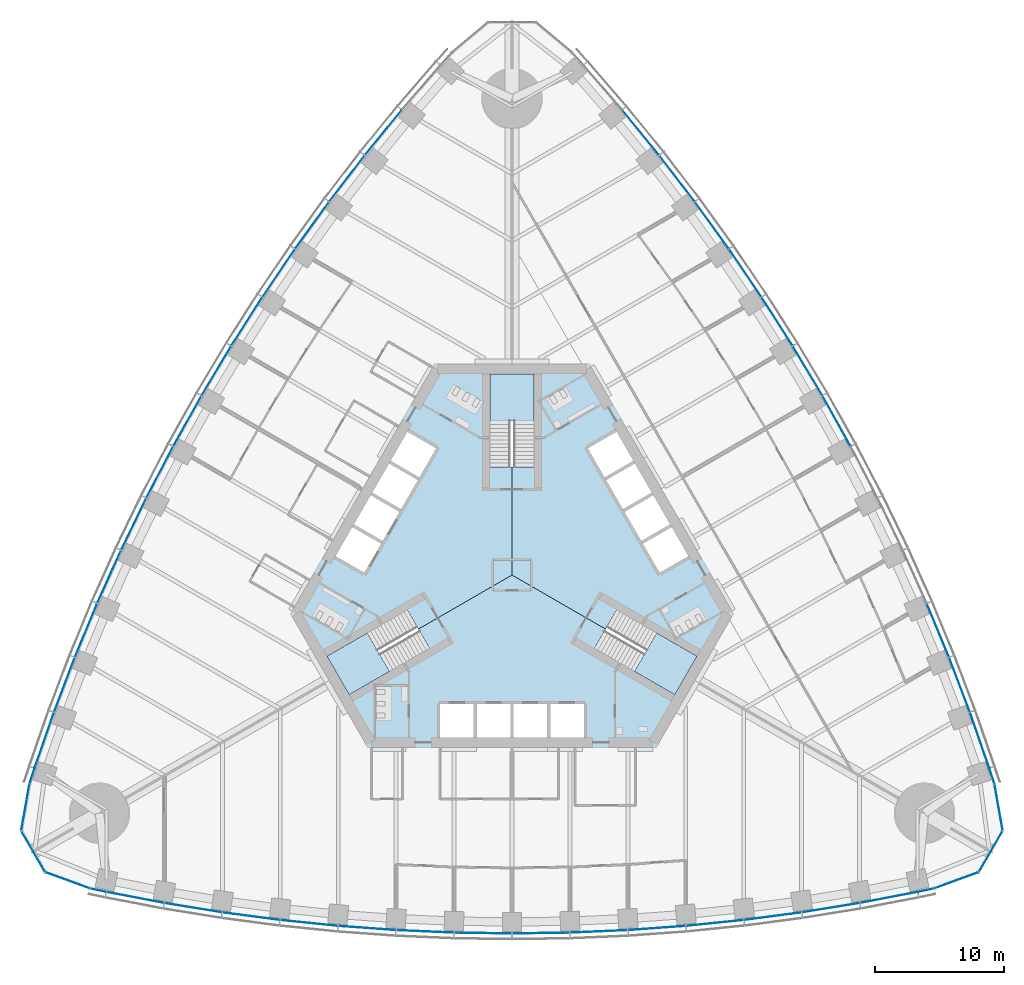
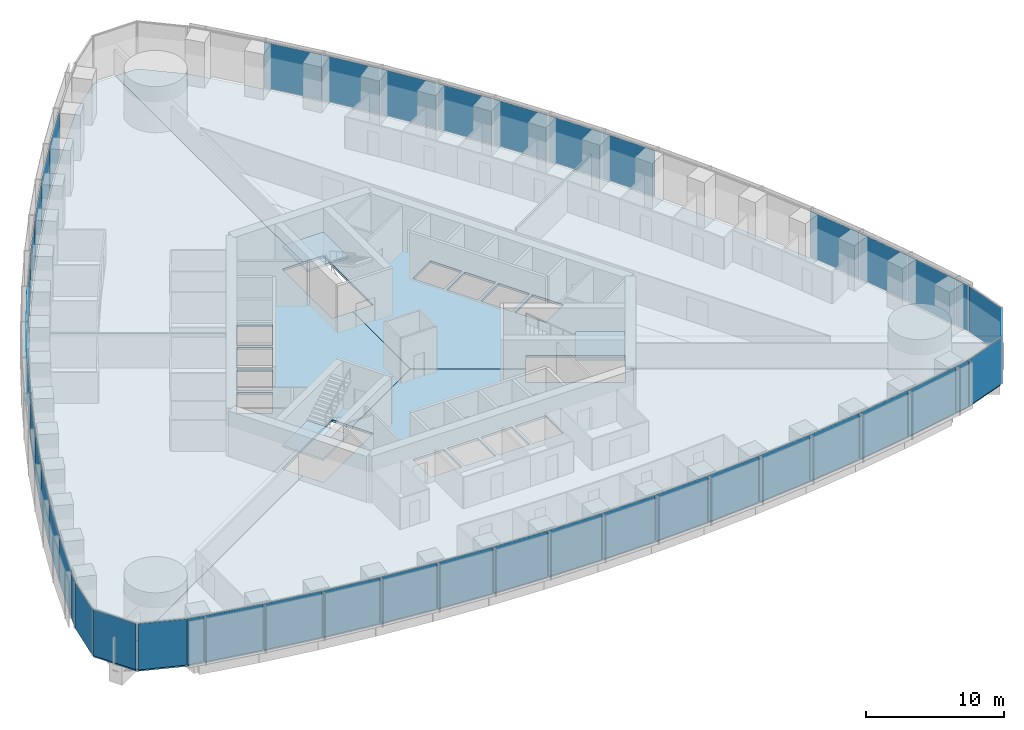
# One storey, part 8 of 18: 47 plates, 6 slabs, 8 elements without a shape of their own.
"""IFC4 building model written with IfcOpenShell, lengths in metres."""

from ifc_helpers import new_model, si_unit, direction, frame, origin, origin_2d, place, context, subcontext, project, spatial, polyline, rectangle, outline, extrude, material, layer, layer_set, type_object, element, aggregate, save


model = new_model("IFC4")

# Units and contexts
model_context = context("Model", 3, precision=1e-05, world=origin(), true_north=direction((0.0, 1.0)))
body_context = subcontext(model_context, "Body", "Model", "MODEL_VIEW")
ifc_project = project(units=[si_unit("LENGTHUNIT", "METRE"), si_unit("AREAUNIT", "SQUARE_METRE"), si_unit("VOLUMEUNIT", "CUBIC_METRE"), si_unit("PLANEANGLEUNIT", "RADIAN"), si_unit("MASSUNIT", "GRAM", prefix="KILO")], contexts=[model_context])

# Site, building, storey
site_placement = place(None, origin())
site = spatial("IfcSite", under=ifc_project, at=site_placement, CompositionType="ELEMENT")
building_placement = place(site_placement, origin())
building = spatial("IfcBuilding", under=site, at=building_placement, Name="Trefoil Bronze Tower", CompositionType="ELEMENT")
storey_placement = place(building_placement, frame((0.0, 0.0, 41.699951171875)))
storey = spatial("IfcBuildingStorey", under=building, at=storey_placement, Name="L09", CompositionType="ELEMENT", Elevation=41.699951171875)

# Curtain wall, plates
ifc_material_1 = material(Name="Tinted solar-control glass", Category="glass")
curtain_wall_type_1 = type_object("IfcCurtainWallType", Name="Bronze office curtain wall", PredefinedType="USERDEFINED", material=ifc_material_1)
curtain_wall_1_placement = place(storey_placement, origin())
curtain_wall_1 = element("IfcCurtainWall", 1, at=curtain_wall_1_placement, inside=storey, type_object=curtain_wall_type_1, Name="CW-A L09 F1", ObjectType="CURTAIN WALL", PredefinedType="USERDEFINED")
ifc_material_2 = material(Name="Tinted solar-control glass", Category="glass")
ifc_layer_1 = layer(ifc_material_2, 0.030029296875)
ifc_layer_set_1 = layer_set([ifc_layer_1], Name="Bronze office curtain wall glass panel")
plate_type_1 = type_object("IfcPlateType", Name="Bronze office curtain wall glass panel", PredefinedType="CURTAIN_PANEL", material=ifc_layer_set_1)
plate_1_placement = place(storey_placement, frame((-32.15185546875, -24.480224609375, 0.0), z_axis=(0.0, 0.0, 1.0), x_axis=(0.978302717041, -0.207180582657, 0.0)))
plate_1 = element("IfcPlate", 2, at=plate_1_placement, type_object=plate_type_1, Name="CW-A L09 F1 panel 1", PredefinedType="CURTAIN_PANEL", context=body_context, shape_type="SweptSolid", body=[
    extrude(rectangle(XDim=1.21044921875, YDim=0.030029296875, at=origin_2d()), origin(), (0.0, 0.0, 1.0), 4.080078125),
])
plate_2_placement = place(storey_placement, frame((-29.268798828125, -25.04638671875, 0.0), z_axis=(0.0, 0.0, 1.0), x_axis=(0.982049823817, -0.188621694249, 0.0)))
plate_2 = element("IfcPlate", 3, at=plate_2_placement, type_object=plate_type_1, Name="CW-A L09 F1 panel 2", PredefinedType="CURTAIN_PANEL", context=body_context, shape_type="SweptSolid", body=[
    extrude(rectangle(XDim=4.502197265625, YDim=0.030029296875, at=origin_2d()), origin(), (0.0, 0.0, 1.0), 4.080078125),
])
plate_3_placement = place(storey_placement, frame((-24.765869140625, -25.8427734375, 0.0), z_axis=(0.0, 0.0, 1.0), x_axis=(0.987181315145, -0.159602791421, 0.0)))
plate_3 = element("IfcPlate", 4, at=plate_3_placement, type_object=plate_type_1, Name="CW-A L09 F1 panel 3", PredefinedType="CURTAIN_PANEL", context=body_context, shape_type="SweptSolid", body=[
    extrude(rectangle(XDim=4.478515625, YDim=0.030029296875, at=origin_2d()), origin(), (0.0, 0.0, 1.0), 4.080078125),
])
plate_4_placement = place(storey_placement, frame((-20.262939453125, -26.50341796875, 0.0), z_axis=(0.0, 0.0, 1.0), x_axis=(0.991437251591, -0.130583981243, 0.0)))
plate_4 = element("IfcPlate", 5, at=plate_4_placement, type_object=plate_type_1, Name="CW-A L09 F1 panel 4", PredefinedType="CURTAIN_PANEL", context=body_context, shape_type="SweptSolid", body=[
    extrude(rectangle(XDim=4.458984375, YDim=0.030029296875, at=origin_2d()), origin(), (0.0, 0.0, 1.0), 4.080078125),
])
plate_5_placement = place(storey_placement, frame((-15.76025390625, -27.02978515625, 0.0), z_axis=(0.0, 0.0, 1.0), x_axis=(0.994828880293, -0.101565244717, 0.0)))
plate_5 = element("IfcPlate", 6, at=plate_5_placement, type_object=plate_type_1, Name="CW-A L09 F1 panel 5", PredefinedType="CURTAIN_PANEL", context=body_context, shape_type="SweptSolid", body=[
    extrude(rectangle(XDim=4.443359375, YDim=0.030029296875, at=origin_2d()), origin(), (0.0, 0.0, 1.0), 4.080078125),
])
plate_6_placement = place(storey_placement, frame((-11.25732421875, -27.42333984375, 0.0), z_axis=(0.0, 0.0, 1.0), x_axis=(0.99736502647, -0.072546564177, 0.0)))
plate_6 = element("IfcPlate", 7, at=plate_6_placement, type_object=plate_type_1, Name="CW-A L09 F1 panel 6", PredefinedType="CURTAIN_PANEL", context=body_context, shape_type="SweptSolid", body=[
    extrude(rectangle(XDim=4.431884765625, YDim=0.030029296875, at=origin_2d()), origin(), (0.0, 0.0, 1.0), 4.080078125),
])
plate_7_placement = place(storey_placement, frame((-6.75439453125, -27.685302734375, 0.0), z_axis=(0.0, 0.0, 1.0), x_axis=(0.999052210809, -0.043527922969, 0.0)))
plate_7 = element("IfcPlate", 8, at=plate_7_placement, type_object=plate_type_1, Name="CW-A L09 F1 panel 7", PredefinedType="CURTAIN_PANEL", context=body_context, shape_type="SweptSolid", body=[
    extrude(rectangle(XDim=4.42431640625, YDim=0.030029296875, at=origin_2d()), origin(), (0.0, 0.0, 1.0), 4.080078125),
])
plate_8_placement = place(storey_placement, frame((-2.25146484375, -27.816162109375, 0.0), z_axis=(0.0, 0.0, 1.0), x_axis=(0.999894734493, -0.014509305083, 0.0)))
plate_8 = element("IfcPlate", 9, at=plate_8_placement, type_object=plate_type_1, Name="CW-A L09 F1 panel 8", PredefinedType="CURTAIN_PANEL", context=body_context, shape_type="SweptSolid", body=[
    extrude(rectangle(XDim=4.42041015625, YDim=0.030029296875, at=origin_2d()), origin(), (0.0, 0.0, 1.0), 4.080078125),
])
plate_9_placement = place(storey_placement, frame((2.25146484375, -27.816162109375, 0.0), z_axis=(0.0, 0.0, 1.0), x_axis=(0.999894734493, 0.014509305083, 0.0)))
plate_9 = element("IfcPlate", 10, at=plate_9_placement, type_object=plate_type_1, Name="CW-A L09 F1 panel 9", PredefinedType="CURTAIN_PANEL", context=body_context, shape_type="SweptSolid", body=[
    extrude(rectangle(XDim=4.42041015625, YDim=0.030029296875, at=origin_2d()), origin(), (0.0, 0.0, 1.0), 4.080078125),
])
plate_10_placement = place(storey_placement, frame((6.75439453125, -27.685302734375, 0.0), z_axis=(0.0, 0.0, 1.0), x_axis=(0.999052210809, 0.043527922969, 0.0)))
plate_10 = element("IfcPlate", 11, at=plate_10_placement, type_object=plate_type_1, Name="CW-A L09 F1 panel 10", PredefinedType="CURTAIN_PANEL", context=body_context, shape_type="SweptSolid", body=[
    extrude(rectangle(XDim=4.42431640625, YDim=0.030029296875, at=origin_2d()), origin(), (0.0, 0.0, 1.0), 4.080078125),
])
plate_11_placement = place(storey_placement, frame((11.25732421875, -27.42333984375, 0.0), z_axis=(0.0, 0.0, 1.0), x_axis=(0.99736502647, 0.072546564177, 0.0)))
plate_11 = element("IfcPlate", 12, at=plate_11_placement, type_object=plate_type_1, Name="CW-A L09 F1 panel 11", PredefinedType="CURTAIN_PANEL", context=body_context, shape_type="SweptSolid", body=[
    extrude(rectangle(XDim=4.431884765625, YDim=0.030029296875, at=origin_2d()), origin(), (0.0, 0.0, 1.0), 4.080078125),
])
plate_12_placement = place(storey_placement, frame((15.76025390625, -27.02978515625, 0.0), z_axis=(0.0, 0.0, 1.0), x_axis=(0.994828880293, 0.101565244717, 0.0)))
plate_12 = element("IfcPlate", 13, at=plate_12_placement, type_object=plate_type_1, Name="CW-A L09 F1 panel 12", PredefinedType="CURTAIN_PANEL", context=body_context, shape_type="SweptSolid", body=[
    extrude(rectangle(XDim=4.443359375, YDim=0.030029296875, at=origin_2d()), origin(), (0.0, 0.0, 1.0), 4.080078125),
])
plate_13_placement = place(storey_placement, frame((20.262939453125, -26.50341796875, 0.0), z_axis=(0.0, 0.0, 1.0), x_axis=(0.991437251591, 0.130583981243, 0.0)))
plate_13 = element("IfcPlate", 14, at=plate_13_placement, type_object=plate_type_1, Name="CW-A L09 F1 panel 13", PredefinedType="CURTAIN_PANEL", context=body_context, shape_type="SweptSolid", body=[
    extrude(rectangle(XDim=4.458984375, YDim=0.030029296875, at=origin_2d()), origin(), (0.0, 0.0, 1.0), 4.080078125),
])
plate_14_placement = place(storey_placement, frame((24.765869140625, -25.8427734375, 0.0), z_axis=(0.0, 0.0, 1.0), x_axis=(0.987181315145, 0.159602791421, 0.0)))
plate_14 = element("IfcPlate", 15, at=plate_14_placement, type_object=plate_type_1, Name="CW-A L09 F1 panel 14", PredefinedType="CURTAIN_PANEL", context=body_context, shape_type="SweptSolid", body=[
    extrude(rectangle(XDim=4.478515625, YDim=0.030029296875, at=origin_2d()), origin(), (0.0, 0.0, 1.0), 4.080078125),
])
plate_15_placement = place(storey_placement, frame((29.268798828125, -25.04638671875, 0.0), z_axis=(0.0, 0.0, 1.0), x_axis=(0.982049823817, 0.188621694249, 0.0)))
plate_15 = element("IfcPlate", 16, at=plate_15_placement, type_object=plate_type_1, Name="CW-A L09 F1 panel 15", PredefinedType="CURTAIN_PANEL", context=body_context, shape_type="SweptSolid", body=[
    extrude(rectangle(XDim=4.502197265625, YDim=0.030029296875, at=origin_2d()), origin(), (0.0, 0.0, 1.0), 4.080078125),
])
plate_16_placement = place(storey_placement, frame((32.15185546875, -24.480224609375, 0.0), z_axis=(0.0, 0.0, 1.0), x_axis=(0.978302717041, 0.207180582657, 0.0)))
plate_16 = element("IfcPlate", 17, at=plate_16_placement, type_object=plate_type_1, Name="CW-A L09 F1 panel 16", PredefinedType="CURTAIN_PANEL", context=body_context, shape_type="SweptSolid", body=[
    extrude(rectangle(XDim=1.21044921875, YDim=0.030029296875, at=origin_2d()), origin(), (0.0, 0.0, 1.0), 4.080078125),
])
aggregate(curtain_wall_1, [plate_1, plate_2, plate_3, plate_4, plate_5, plate_6, plate_7, plate_8, plate_9, plate_10, plate_11, plate_12, plate_13, plate_14, plate_15, plate_16])

curtain_wall_2_placement = place(storey_placement, origin())
curtain_wall_2 = element("IfcCurtainWall", 18, at=curtain_wall_2_placement, inside=storey, type_object=curtain_wall_type_1, Name="CW-A L09 F2", ObjectType="CURTAIN WALL", PredefinedType="USERDEFINED")
plate_17_placement = place(storey_placement, frame((37.2763671875, -15.604248046875, 0.0), z_axis=(0.0, 0.0, 1.0), x_axis=(-0.309727710769, 0.950825296877, 0.0)))
plate_17 = element("IfcPlate", 19, at=plate_17_placement, type_object=plate_type_1, Name="CW-A L09 F2 panel 1", PredefinedType="CURTAIN_PANEL", context=body_context, shape_type="SweptSolid", body=[
    extrude(rectangle(XDim=1.21044921875, YDim=0.030029296875, at=origin_2d()), origin(), (0.0, 0.0, 1.0), 4.080078125),
])
plate_18_placement = place(storey_placement, frame((36.3251953125, -12.824462890625, 0.0), z_axis=(0.0, 0.0, 1.0), x_axis=(-0.327673732984, 0.944790942332, 0.0)))
plate_18 = element("IfcPlate", 20, at=plate_18_placement, type_object=plate_type_1, Name="CW-A L09 F2 panel 2", PredefinedType="CURTAIN_PANEL", context=body_context, shape_type="SweptSolid", body=[
    extrude(rectangle(XDim=4.502197265625, YDim=0.030029296875, at=origin_2d()), origin(), (0.0, 0.0, 1.0), 4.080078125),
])
plate_19_placement = place(storey_placement, frame((34.763427734375, -8.526611328125, 0.0), z_axis=(0.0, 0.0, 1.0), x_axis=(-0.355370585687, 0.934725492767, 0.0)))
plate_19 = element("IfcPlate", 21, at=plate_19_placement, type_object=plate_type_1, Name="CW-A L09 F2 panel 3", PredefinedType="CURTAIN_PANEL", context=body_context, shape_type="SweptSolid", body=[
    extrude(rectangle(XDim=4.478515625, YDim=0.030029296875, at=origin_2d()), origin(), (0.0, 0.0, 1.0), 4.080078125),
])
plate_20_placement = place(storey_placement, frame((33.084228515625, -4.296630859375, 0.0), z_axis=(0.0, 0.0, 1.0), x_axis=(-0.382629580712, 0.923901836758, 0.0)))
plate_20 = element("IfcPlate", 22, at=plate_20_placement, type_object=plate_type_1, Name="CW-A L09 F2 panel 4", PredefinedType="CURTAIN_PANEL", context=body_context, shape_type="SweptSolid", body=[
    extrude(rectangle(XDim=4.458984375, YDim=0.030029296875, at=origin_2d()), origin(), (0.0, 0.0, 1.0), 4.080078125),
])
plate_21_placement = place(storey_placement, frame((25.215087890625, 11.958251953125, 0.0), z_axis=(0.0, 0.0, 1.0), x_axis=(-0.487381940453, 0.873188893722, 0.0)))
plate_21 = element("IfcPlate", 23, at=plate_21_placement, type_object=plate_type_1, Name="CW-A L09 F2 panel 8", PredefinedType="CURTAIN_PANEL", context=body_context, shape_type="SweptSolid", body=[
    extrude(rectangle(XDim=4.42041015625, YDim=0.030029296875, at=origin_2d()), origin(), (0.0, 0.0, 1.0), 4.080078125),
])
plate_22_placement = place(storey_placement, frame((22.963623046875, 15.85791015625, 0.0), z_axis=(0.0, 0.0, 1.0), x_axis=(-0.51251279404, 0.858679588639, 0.0)))
plate_22 = element("IfcPlate", 24, at=plate_22_placement, type_object=plate_type_1, Name="CW-A L09 F2 panel 9", PredefinedType="CURTAIN_PANEL", context=body_context, shape_type="SweptSolid", body=[
    extrude(rectangle(XDim=4.42041015625, YDim=0.030029296875, at=origin_2d()), origin(), (0.0, 0.0, 1.0), 4.080078125),
])
plate_23_placement = place(storey_placement, frame((20.598876953125, 19.692138671875, 0.0), z_axis=(0.0, 0.0, 1.0), x_axis=(-0.537222392469, 0.843440632783, 0.0)))
plate_23 = element("IfcPlate", 25, at=plate_23_placement, type_object=plate_type_1, Name="CW-A L09 F2 panel 10", PredefinedType="CURTAIN_PANEL", context=body_context, shape_type="SweptSolid", body=[
    extrude(rectangle(XDim=4.42431640625, YDim=0.030029296875, at=origin_2d()), origin(), (0.0, 0.0, 1.0), 4.080078125),
])
plate_24_placement = place(storey_placement, frame((18.120849609375, 23.460693359375, 0.0), z_axis=(0.0, 0.0, 1.0), x_axis=(-0.56150968077, 0.827470167681, 0.0)))
plate_24 = element("IfcPlate", 26, at=plate_24_placement, type_object=plate_type_1, Name="CW-A L09 F2 panel 11", PredefinedType="CURTAIN_PANEL", context=body_context, shape_type="SweptSolid", body=[
    extrude(rectangle(XDim=4.431884765625, YDim=0.030029296875, at=origin_2d()), origin(), (0.0, 0.0, 1.0), 4.080078125),
])
plate_25_placement = place(storey_placement, frame((15.5283203125, 27.16357421875, 0.0), z_axis=(0.0, 0.0, 1.0), x_axis=(-0.585372522213, 0.810764460394, 0.0)))
plate_25 = element("IfcPlate", 27, at=plate_25_placement, type_object=plate_type_1, Name="CW-A L09 F2 panel 12", PredefinedType="CURTAIN_PANEL", context=body_context, shape_type="SweptSolid", body=[
    extrude(rectangle(XDim=4.443359375, YDim=0.030029296875, at=origin_2d()), origin(), (0.0, 0.0, 1.0), 4.080078125),
])
plate_26_placement = place(storey_placement, frame((12.821044921875, 30.800048828125, 0.0), z_axis=(0.0, 0.0, 1.0), x_axis=(-0.608807670879, 0.793317855515, 0.0)))
plate_26 = element("IfcPlate", 28, at=plate_26_placement, type_object=plate_type_1, Name="CW-A L09 F2 panel 13", PredefinedType="CURTAIN_PANEL", context=body_context, shape_type="SweptSolid", body=[
    extrude(rectangle(XDim=4.458984375, YDim=0.030029296875, at=origin_2d()), origin(), (0.0, 0.0, 1.0), 4.080078125),
])
plate_27_placement = place(storey_placement, frame((9.99755859375, 34.369384765625, 0.0), z_axis=(0.0, 0.0, 1.0), x_axis=(-0.631810729457, 0.775122701346, 0.0)))
plate_27 = element("IfcPlate", 29, at=plate_27_placement, type_object=plate_type_1, Name="CW-A L09 F2 panel 14", PredefinedType="CURTAIN_PANEL", context=body_context, shape_type="SweptSolid", body=[
    extrude(rectangle(XDim=4.478515625, YDim=0.030029296875, at=origin_2d()), origin(), (0.0, 0.0, 1.0), 4.080078125),
])
aggregate(curtain_wall_2, [plate_17, plate_18, plate_19, plate_20, plate_21, plate_22, plate_23, plate_24, plate_25, plate_26, plate_27])

curtain_wall_3_placement = place(storey_placement, origin())
curtain_wall_3 = element("IfcCurtainWall", 30, at=curtain_wall_3_placement, inside=storey, type_object=curtain_wall_type_1, Name="CW-A L09 F3", ObjectType="CURTAIN WALL", PredefinedType="USERDEFINED")
plate_28_placement = place(storey_placement, frame((-9.99755859375, 34.369384765625, 0.0), z_axis=(0.0, 0.0, 1.0), x_axis=(-0.631810729457, -0.775122701346, 0.0)))
plate_28 = element("IfcPlate", 31, at=plate_28_placement, type_object=plate_type_1, Name="CW-A L09 F3 panel 3", PredefinedType="CURTAIN_PANEL", context=body_context, shape_type="SweptSolid", body=[
    extrude(rectangle(XDim=4.478515625, YDim=0.030029296875, at=origin_2d()), origin(), (0.0, 0.0, 1.0), 4.080078125),
])
plate_29_placement = place(storey_placement, frame((-12.821044921875, 30.800048828125, 0.0), z_axis=(0.0, 0.0, 1.0), x_axis=(-0.608807670879, -0.793317855515, 0.0)))
plate_29 = element("IfcPlate", 32, at=plate_29_placement, type_object=plate_type_1, Name="CW-A L09 F3 panel 4", PredefinedType="CURTAIN_PANEL", context=body_context, shape_type="SweptSolid", body=[
    extrude(rectangle(XDim=4.458984375, YDim=0.030029296875, at=origin_2d()), origin(), (0.0, 0.0, 1.0), 4.080078125),
])
plate_30_placement = place(storey_placement, frame((-15.5283203125, 27.16357421875, 0.0), z_axis=(0.0, 0.0, 1.0), x_axis=(-0.585372522213, -0.810764460394, 0.0)))
plate_30 = element("IfcPlate", 33, at=plate_30_placement, type_object=plate_type_1, Name="CW-A L09 F3 panel 5", PredefinedType="CURTAIN_PANEL", context=body_context, shape_type="SweptSolid", body=[
    extrude(rectangle(XDim=4.443359375, YDim=0.030029296875, at=origin_2d()), origin(), (0.0, 0.0, 1.0), 4.080078125),
])
plate_31_placement = place(storey_placement, frame((-18.120849609375, 23.460693359375, 0.0), z_axis=(0.0, 0.0, 1.0), x_axis=(-0.56150968077, -0.827470167681, 0.0)))
plate_31 = element("IfcPlate", 34, at=plate_31_placement, type_object=plate_type_1, Name="CW-A L09 F3 panel 6", PredefinedType="CURTAIN_PANEL", context=body_context, shape_type="SweptSolid", body=[
    extrude(rectangle(XDim=4.431884765625, YDim=0.030029296875, at=origin_2d()), origin(), (0.0, 0.0, 1.0), 4.080078125),
])
plate_32_placement = place(storey_placement, frame((-20.598876953125, 19.692138671875, 0.0), z_axis=(0.0, 0.0, 1.0), x_axis=(-0.537222392469, -0.843440632783, 0.0)))
plate_32 = element("IfcPlate", 35, at=plate_32_placement, type_object=plate_type_1, Name="CW-A L09 F3 panel 7", PredefinedType="CURTAIN_PANEL", context=body_context, shape_type="SweptSolid", body=[
    extrude(rectangle(XDim=4.42431640625, YDim=0.030029296875, at=origin_2d()), origin(), (0.0, 0.0, 1.0), 4.080078125),
])
plate_33_placement = place(storey_placement, frame((-22.963623046875, 15.85791015625, 0.0), z_axis=(0.0, 0.0, 1.0), x_axis=(-0.51251279404, -0.858679588639, 0.0)))
plate_33 = element("IfcPlate", 36, at=plate_33_placement, type_object=plate_type_1, Name="CW-A L09 F3 panel 8", PredefinedType="CURTAIN_PANEL", context=body_context, shape_type="SweptSolid", body=[
    extrude(rectangle(XDim=4.42041015625, YDim=0.030029296875, at=origin_2d()), origin(), (0.0, 0.0, 1.0), 4.080078125),
])
plate_34_placement = place(storey_placement, frame((-25.215087890625, 11.958251953125, 0.0), z_axis=(0.0, 0.0, 1.0), x_axis=(-0.487381940453, -0.873188893722, 0.0)))
plate_34 = element("IfcPlate", 37, at=plate_34_placement, type_object=plate_type_1, Name="CW-A L09 F3 panel 9", PredefinedType="CURTAIN_PANEL", context=body_context, shape_type="SweptSolid", body=[
    extrude(rectangle(XDim=4.42041015625, YDim=0.030029296875, at=origin_2d()), origin(), (0.0, 0.0, 1.0), 4.080078125),
])
plate_35_placement = place(storey_placement, frame((-27.353271484375, 7.9931640625, 0.0), z_axis=(0.0, 0.0, 1.0), x_axis=(-0.46182981834, -0.886968555752, 0.0)))
plate_35 = element("IfcPlate", 38, at=plate_35_placement, type_object=plate_type_1, Name="CW-A L09 F3 panel 10", PredefinedType="CURTAIN_PANEL", context=body_context, shape_type="SweptSolid", body=[
    extrude(rectangle(XDim=4.42431640625, YDim=0.030029296875, at=origin_2d()), origin(), (0.0, 0.0, 1.0), 4.080078125),
])
plate_36_placement = place(storey_placement, frame((-29.3779296875, 3.962646484375, 0.0), z_axis=(0.0, 0.0, 1.0), x_axis=(-0.4358553457, -0.900016731858, 0.0)))
plate_36 = element("IfcPlate", 39, at=plate_36_placement, type_object=plate_type_1, Name="CW-A L09 F3 panel 11", PredefinedType="CURTAIN_PANEL", context=body_context, shape_type="SweptSolid", body=[
    extrude(rectangle(XDim=4.431884765625, YDim=0.030029296875, at=origin_2d()), origin(), (0.0, 0.0, 1.0), 4.080078125),
])
plate_37_placement = place(storey_placement, frame((-31.28857421875, -0.1337890625, 0.0), z_axis=(0.0, 0.0, 1.0), x_axis=(-0.40945635808, -0.912329705111, 0.0)))
plate_37 = element("IfcPlate", 40, at=plate_37_placement, type_object=plate_type_1, Name="CW-A L09 F3 panel 12", PredefinedType="CURTAIN_PANEL", context=body_context, shape_type="SweptSolid", body=[
    extrude(rectangle(XDim=4.443359375, YDim=0.030029296875, at=origin_2d()), origin(), (0.0, 0.0, 1.0), 4.080078125),
])
plate_38_placement = place(storey_placement, frame((-33.084228515625, -4.296630859375, 0.0), z_axis=(0.0, 0.0, 1.0), x_axis=(-0.382629580712, -0.923901836758, 0.0)))
plate_38 = element("IfcPlate", 41, at=plate_38_placement, type_object=plate_type_1, Name="CW-A L09 F3 panel 13", PredefinedType="CURTAIN_PANEL", context=body_context, shape_type="SweptSolid", body=[
    extrude(rectangle(XDim=4.458984375, YDim=0.030029296875, at=origin_2d()), origin(), (0.0, 0.0, 1.0), 4.080078125),
])
plate_39_placement = place(storey_placement, frame((-34.763427734375, -8.526611328125, 0.0), z_axis=(0.0, 0.0, 1.0), x_axis=(-0.355370585687, -0.934725492767, 0.0)))
plate_39 = element("IfcPlate", 42, at=plate_39_placement, type_object=plate_type_1, Name="CW-A L09 F3 panel 14", PredefinedType="CURTAIN_PANEL", context=body_context, shape_type="SweptSolid", body=[
    extrude(rectangle(XDim=4.478515625, YDim=0.030029296875, at=origin_2d()), origin(), (0.0, 0.0, 1.0), 4.080078125),
])
plate_40_placement = place(storey_placement, frame((-36.3251953125, -12.824462890625, 0.0), z_axis=(0.0, 0.0, 1.0), x_axis=(-0.327673732984, -0.944790942332, 0.0)))
plate_40 = element("IfcPlate", 43, at=plate_40_placement, type_object=plate_type_1, Name="CW-A L09 F3 panel 15", PredefinedType="CURTAIN_PANEL", context=body_context, shape_type="SweptSolid", body=[
    extrude(rectangle(XDim=4.502197265625, YDim=0.030029296875, at=origin_2d()), origin(), (0.0, 0.0, 1.0), 4.080078125),
])
plate_41_placement = place(storey_placement, frame((-37.2763671875, -15.604248046875, 0.0), z_axis=(0.0, 0.0, 1.0), x_axis=(-0.309727710769, -0.950825296877, 0.0)))
plate_41 = element("IfcPlate", 44, at=plate_41_placement, type_object=plate_type_1, Name="CW-A L09 F3 panel 16", PredefinedType="CURTAIN_PANEL", context=body_context, shape_type="SweptSolid", body=[
    extrude(rectangle(XDim=1.21044921875, YDim=0.030029296875, at=origin_2d()), origin(), (0.0, 0.0, 1.0), 4.080078125),
])
aggregate(curtain_wall_3, [plate_28, plate_29, plate_30, plate_31, plate_32, plate_33, plate_34, plate_35, plate_36, plate_37, plate_38, plate_39, plate_40, plate_41])

ifc_material_3 = material(Name="Tinted solar-control glass", Category="glass")
curtain_wall_type_2 = type_object("IfcCurtainWallType", Name="Bronze rounded corner curtain wall", PredefinedType="USERDEFINED", material=ifc_material_3)
curtain_wall_4_placement = place(storey_placement, origin())
curtain_wall_4 = element("IfcCurtainWall", 45, at=curtain_wall_4_placement, inside=storey, type_object=curtain_wall_type_2, Name="CW-B L09 K1", ObjectType="CURTAIN WALL", PredefinedType="USERDEFINED")
ifc_material_4 = material(Name="Tinted solar-control glass", Category="glass")
ifc_layer_2 = layer(ifc_material_4, 0.030029296875)
ifc_layer_set_2 = layer_set([ifc_layer_2], Name="Bronze rounded corner curtain wall glass panel")
plate_type_2 = type_object("IfcPlateType", Name="Bronze rounded corner curtain wall glass panel", PredefinedType="CURTAIN_PANEL", material=ifc_layer_set_2)
plate_42_placement = place(storey_placement, frame((34.5107421875, -23.71875, 0.0), z_axis=(0.0, 0.0, 1.0), x_axis=(0.939692620786, 0.342020143326, 0.0)))
plate_42 = element("IfcPlate", 46, at=plate_42_placement, type_object=plate_type_2, Name="CW-B L09 K1 panel 1", PredefinedType="CURTAIN_PANEL", context=body_context, shape_type="SweptSolid", body=[
    extrude(rectangle(XDim=3.588134765625, YDim=0.030029296875, at=origin_2d()), origin(), (0.0, 0.0, 1.0), 4.080078125),
])
plate_43_placement = place(storey_placement, frame((37.189208984375, -21.47119140625, 0.0), z_axis=(0.0, 0.0, 1.0), x_axis=(0.5, 0.866025403784, 0.0)))
plate_43 = element("IfcPlate", 47, at=plate_43_placement, type_object=plate_type_2, Name="CW-B L09 K1 panel 2", PredefinedType="CURTAIN_PANEL", context=body_context, shape_type="SweptSolid", body=[
    extrude(rectangle(XDim=3.588134765625, YDim=0.030029296875, at=origin_2d()), origin(), (0.0, 0.0, 1.0), 4.080078125),
])
plate_44_placement = place(storey_placement, frame((37.79638671875, -18.02783203125, 0.0), z_axis=(0.0, 0.0, 1.0), x_axis=(-0.173648177667, 0.984807753012, 0.0)))
plate_44 = element("IfcPlate", 48, at=plate_44_placement, type_object=plate_type_2, Name="CW-B L09 K1 panel 3", PredefinedType="CURTAIN_PANEL", context=body_context, shape_type="SweptSolid", body=[
    extrude(rectangle(XDim=3.588134765625, YDim=0.030029296875, at=origin_2d()), origin(), (0.0, 0.0, 1.0), 4.080078125),
])
aggregate(curtain_wall_4, [plate_42, plate_43, plate_44])

curtain_wall_5_placement = place(storey_placement, origin())
curtain_wall_5 = element("IfcCurtainWall", 49, at=curtain_wall_5_placement, inside=storey, type_object=curtain_wall_type_2, Name="CW-B L09 K3", ObjectType="CURTAIN WALL", PredefinedType="USERDEFINED")
plate_45_placement = place(storey_placement, frame((-37.79638671875, -18.02783203125, 0.0), z_axis=(0.0, 0.0, 1.0), x_axis=(-0.173648177667, -0.984807753012, 0.0)))
plate_45 = element("IfcPlate", 50, at=plate_45_placement, type_object=plate_type_2, Name="CW-B L09 K3 panel 1", PredefinedType="CURTAIN_PANEL", context=body_context, shape_type="SweptSolid", body=[
    extrude(rectangle(XDim=3.588134765625, YDim=0.030029296875, at=origin_2d()), origin(), (0.0, 0.0, 1.0), 4.080078125),
])
plate_46_placement = place(storey_placement, frame((-37.189208984375, -21.47119140625, 0.0), z_axis=(0.0, 0.0, 1.0), x_axis=(0.5, -0.866025403784, 0.0)))
plate_46 = element("IfcPlate", 51, at=plate_46_placement, type_object=plate_type_2, Name="CW-B L09 K3 panel 2", PredefinedType="CURTAIN_PANEL", context=body_context, shape_type="SweptSolid", body=[
    extrude(rectangle(XDim=3.588134765625, YDim=0.030029296875, at=origin_2d()), origin(), (0.0, 0.0, 1.0), 4.080078125),
])
plate_47_placement = place(storey_placement, frame((-34.5107421875, -23.71875, 0.0), z_axis=(0.0, 0.0, 1.0), x_axis=(0.939692620786, -0.342020143326, 0.0)))
plate_47 = element("IfcPlate", 52, at=plate_47_placement, type_object=plate_type_2, Name="CW-B L09 K3 panel 3", PredefinedType="CURTAIN_PANEL", context=body_context, shape_type="SweptSolid", body=[
    extrude(rectangle(XDim=3.588134765625, YDim=0.030029296875, at=origin_2d()), origin(), (0.0, 0.0, 1.0), 4.080078125),
])
aggregate(curtain_wall_5, [plate_45, plate_46, plate_47])

# Slabs
ifc_material_5 = material(Name="Concrete B30", Category="concrete")
ifc_layer_3 = layer(ifc_material_5, 0.199951171875)
ifc_layer_set_3 = layer_set([ifc_layer_3], Name="Floor slab 200")
slab_type_1 = type_object("IfcSlabType", Name="Floor slab 200", PredefinedType="FLOOR", material=ifc_layer_set_3)
slab_1_placement = place(storey_placement, frame((0.0, 0.0, -0.199951171875)))
element("IfcSlab", 53, at=slab_1_placement, inside=storey, type_object=slab_type_1, Name="Floor slab L09 face 1", PredefinedType="FLOOR", context=body_context, shape_type="SweptSolid", body=[
    extrude(outline(polyline([(27.0, -25.38037109375), (22.5, -26.10791015625), (18.0, -26.70068359375), (13.5, -27.159912109375), (9.0, -27.4873046875), (4.5, -27.683349609375), (0.0, -27.748779296875), (-4.5, -27.683349609375), (-9.0, -27.4873046875), (-13.5, -27.159912109375), (-18.0, -26.70068359375), (-22.5, -26.10791015625), (-27.0, -25.38037109375), (-31.5, -24.51611328125), (-32.762451171875, -24.248779296875), (-36.190673828125, -23.0009765625), (-37.1025390625, -21.421142578125), (-13.510009765625, -7.800048828125), (-12.6474609375, -9.2939453125), (-6.412109375, -5.69384765625), (-7.274658203125, -4.199951171875), (0.0, 0.0), (7.274658203125, -4.199951171875), (6.412109375, -5.69384765625), (12.6474609375, -9.2939453125), (13.510009765625, -7.800048828125), (37.1025390625, -21.421142578125), (36.190673828125, -23.0009765625), (32.762451171875, -24.248779296875), (31.5, -24.51611328125), (27.0, -25.38037109375)]), holes=[polyline([(-5.574951171875, -10.02490234375), (-2.97509765625, -10.02490234375), (-2.97509765625, -12.60009765625), (-5.574951171875, -12.60009765625), (-5.574951171875, -10.02490234375)]), polyline([(-2.72509765625, -10.02490234375), (-0.125, -10.02490234375), (-0.125, -12.60009765625), (-2.72509765625, -12.60009765625), (-2.72509765625, -10.02490234375)]), polyline([(0.125, -10.02490234375), (2.72509765625, -10.02490234375), (2.72509765625, -12.60009765625), (0.125, -12.60009765625), (0.125, -10.02490234375)]), polyline([(2.97509765625, -10.02490234375), (5.574951171875, -10.02490234375), (5.574951171875, -12.60009765625), (2.97509765625, -12.60009765625), (2.97509765625, -10.02490234375)])]), origin(), (0.0, 0.0, 1.0), 0.199951171875),
])
slab_2_placement = place(storey_placement, frame((0.0, 0.0, -0.199951171875)))
element("IfcSlab", 54, at=slab_2_placement, inside=storey, type_object=slab_type_1, Name="Floor slab L09 face 2", PredefinedType="FLOOR", context=body_context, shape_type="SweptSolid", body=[
    extrude(outline(polyline([(8.47998046875, 36.07275390625), (11.360107421875, 32.53955078125), (14.123291015625, 28.938720703125), (16.771240234375, 25.271240234375), (19.3046875, 21.537841796875), (21.724609375, 17.73876953125), (24.031005859375, 13.874267578125), (26.224609375, 9.944580078125), (28.3046875, 5.949462890625), (30.271240234375, 1.888671875), (32.123291015625, -2.238037109375), (33.860107421875, -6.431640625), (35.47998046875, -10.6923828125), (36.9814453125, -15.021728515625), (37.381103515625, -16.248779296875), (38.0146484375, -19.841552734375), (37.1025390625, -21.421142578125), (13.510009765625, -7.800048828125), (14.37255859375, -6.30615234375), (8.13720703125, -2.7060546875), (7.274658203125, -4.199951171875), (0.0, 0.0), (0.0, 8.39990234375), (1.72509765625, 8.39990234375), (1.72509765625, 15.60009765625), (0.0, 15.60009765625), (0.0, 42.842529296875), (1.82421875, 42.842529296875), (4.618896484375, 40.497314453125), (5.4814453125, 39.537841796875), (8.47998046875, 36.07275390625)]), holes=[polyline([(11.469482421875, 0.184326171875), (10.16943359375, 2.43603515625), (12.3994140625, 3.7236328125), (13.699462890625, 1.471923828125), (11.469482421875, 0.184326171875)]), polyline([(10.04443359375, 2.652587890625), (8.744384765625, 4.904296875), (10.974365234375, 6.191650390625), (12.2744140625, 3.940185546875), (10.04443359375, 2.652587890625)]), polyline([(8.619384765625, 5.120849609375), (7.3193359375, 7.372314453125), (9.54931640625, 8.659912109375), (10.849365234375, 6.408203125), (8.619384765625, 5.120849609375)]), polyline([(7.1943359375, 7.5888671875), (5.894287109375, 9.840576171875), (8.12451171875, 11.128173828125), (9.42431640625, 8.87646484375), (7.1943359375, 7.5888671875)])]), origin(), (0.0, 0.0, 1.0), 0.199951171875),
])
slab_3_placement = place(storey_placement, frame((0.0, 0.0, -0.199951171875)))
element("IfcSlab", 55, at=slab_3_placement, inside=storey, type_object=slab_type_1, Name="Floor slab L09 face 3", PredefinedType="FLOOR", context=body_context, shape_type="SweptSolid", body=[
    extrude(outline(polyline([(-35.47998046875, -10.6923828125), (-33.860107421875, -6.431640625), (-32.123291015625, -2.238037109375), (-30.271240234375, 1.888671875), (-28.3046875, 5.949462890625), (-26.224609375, 9.944580078125), (-24.031005859375, 13.874267578125), (-21.724609375, 17.73876953125), (-19.3046875, 21.537841796875), (-16.771240234375, 25.271240234375), (-14.123291015625, 28.938720703125), (-11.360107421875, 32.53955078125), (-8.47998046875, 36.07275390625), (-5.4814453125, 39.537841796875), (-4.618896484375, 40.497314453125), (-1.82421875, 42.842529296875), (0.0, 42.842529296875), (0.0, 15.60009765625), (-1.72509765625, 15.60009765625), (-1.72509765625, 8.39990234375), (0.0, 8.39990234375), (0.0, 0.0), (-7.274658203125, -4.199951171875), (-8.13720703125, -2.7060546875), (-14.37255859375, -6.30615234375), (-13.510009765625, -7.800048828125), (-37.1025390625, -21.421142578125), (-38.0146484375, -19.841552734375), (-37.381103515625, -16.248779296875), (-36.9814453125, -15.021728515625), (-35.47998046875, -10.6923828125)]), holes=[polyline([(-5.894287109375, 9.840576171875), (-7.1943359375, 7.5888671875), (-9.42431640625, 8.87646484375), (-8.12451171875, 11.128173828125), (-5.894287109375, 9.840576171875)]), polyline([(-7.3193359375, 7.372314453125), (-8.619384765625, 5.120849609375), (-10.849365234375, 6.408203125), (-9.54931640625, 8.659912109375), (-7.3193359375, 7.372314453125)]), polyline([(-8.744384765625, 4.904296875), (-10.04443359375, 2.652587890625), (-12.2744140625, 3.940185546875), (-10.974365234375, 6.191650390625), (-8.744384765625, 4.904296875)]), polyline([(-10.16943359375, 2.43603515625), (-11.469482421875, 0.184326171875), (-13.699462890625, 1.471923828125), (-12.3994140625, 3.7236328125), (-10.16943359375, 2.43603515625)])]), origin(), (0.0, 0.0, 1.0), 0.199951171875),
])

# Stair, slab
ifc_material_6 = material(Name="Precast concrete B80", Category="concrete")
stair_type = type_object("IfcStairType", Name="Exit stair 26 risers", PredefinedType="HALF_TURN_STAIR", material=ifc_material_6)
stair_1_placement = place(storey_placement, origin())
stair_1 = element("IfcStair", 56, at=stair_1_placement, inside=storey, type_object=stair_type, Name="Stair ST1 L09", PredefinedType="HALF_TURN_STAIR")
ifc_material_7 = material(Name="Concrete B30", Category="concrete")
ifc_layer_4 = layer(ifc_material_7, 0.199951171875)
ifc_layer_set_4 = layer_set([ifc_layer_4], Name="Stair landing 200")
slab_type_2 = type_object("IfcSlabType", Name="Stair landing 200", PredefinedType="LANDING", material=ifc_layer_set_4)
slab_4_placement = place(storey_placement, frame((0.0, 0.0, 1.900146484375)))
slab_4 = element("IfcSlab", 57, at=slab_4_placement, type_object=slab_type_2, Name="ST1 landing 1", PredefinedType="LANDING", context=body_context, shape_type="SweptSolid", body=[
    extrude(outline(polyline([(9.512451171875, -7.48388671875), (12.6474609375, -9.2939453125), (14.37255859375, -6.30615234375), (11.237548828125, -4.49609375), (9.512451171875, -7.48388671875)])), origin(), (0.0, 0.0, 1.0), 0.199951171875),
])
aggregate(stair_1, [slab_4])

stair_2_placement = place(storey_placement, origin())
stair_2 = element("IfcStair", 58, at=stair_2_placement, inside=storey, type_object=stair_type, Name="Stair ST2 L09", PredefinedType="HALF_TURN_STAIR")
slab_5_placement = place(storey_placement, frame((0.0, 0.0, 1.900146484375)))
slab_5 = element("IfcSlab", 59, at=slab_5_placement, type_object=slab_type_2, Name="ST2 landing 1", PredefinedType="LANDING", context=body_context, shape_type="SweptSolid", body=[
    extrude(outline(polyline([(1.72509765625, 11.97998046875), (1.72509765625, 15.60009765625), (-1.72509765625, 15.60009765625), (-1.72509765625, 11.97998046875), (1.72509765625, 11.97998046875)])), origin(), (0.0, 0.0, 1.0), 0.199951171875),
])
aggregate(stair_2, [slab_5])

stair_3_placement = place(storey_placement, origin())
stair_3 = element("IfcStair", 60, at=stair_3_placement, inside=storey, type_object=stair_type, Name="Stair ST3 L09", PredefinedType="HALF_TURN_STAIR")
slab_6_placement = place(storey_placement, frame((0.0, 0.0, 1.900146484375)))
slab_6 = element("IfcSlab", 61, at=slab_6_placement, type_object=slab_type_2, Name="ST3 landing 1", PredefinedType="LANDING", context=body_context, shape_type="SweptSolid", body=[
    extrude(outline(polyline([(-11.237548828125, -4.49609375), (-14.37255859375, -6.30615234375), (-12.6474609375, -9.2939453125), (-9.512451171875, -7.48388671875), (-11.237548828125, -4.49609375)])), origin(), (0.0, 0.0, 1.0), 0.199951171875),
])
aggregate(stair_3, [slab_6])

save(model, "model.ifc")
